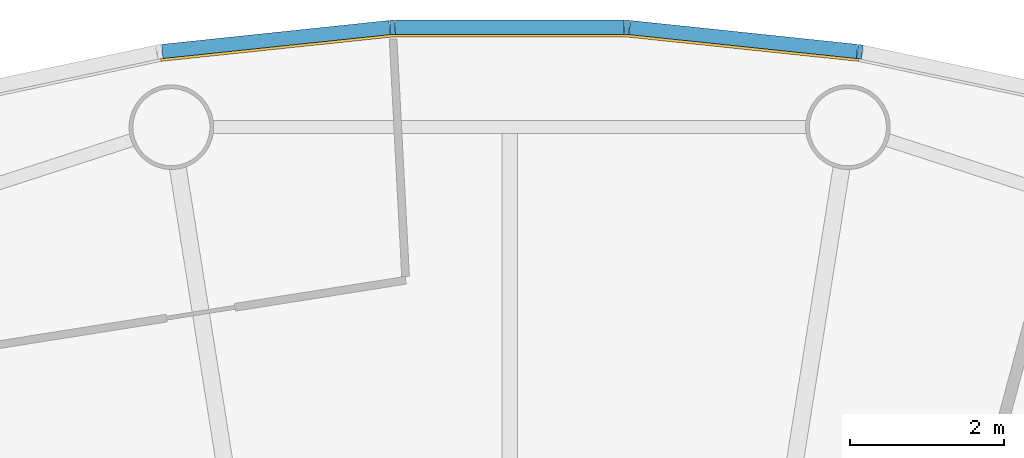
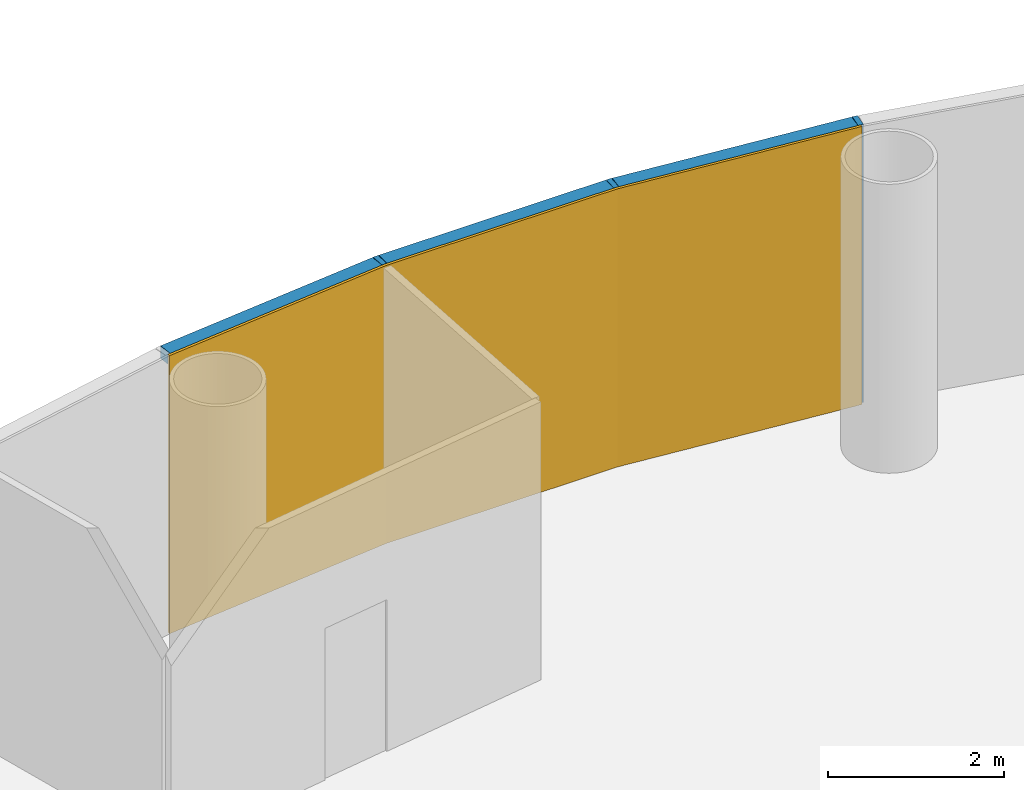
# One storey, part 10 of 12: 6 members, 1 curtain wall.
"""IFC4 building model written with IfcOpenShell, lengths in metres."""

from ifc_helpers import new_model, si_unit, direction, frame, origin, origin_2d, place, context, subcontext, project, spatial, polyline, rectangle, outline, extrude, material, layer, layer_set, material_profile, profile_set, type_object, element, aggregate, save


model = new_model("IFC4")

# Units and contexts
model_context = context("Model", 3, precision=1e-05, world=origin(), true_north=direction((0.0, 1.0)))
body_context = subcontext(model_context, "Body", "Model", "MODEL_VIEW")
ifc_project = project(units=[si_unit("LENGTHUNIT", "METRE"), si_unit("AREAUNIT", "SQUARE_METRE"), si_unit("VOLUMEUNIT", "CUBIC_METRE"), si_unit("PLANEANGLEUNIT", "RADIAN"), si_unit("MASSUNIT", "GRAM", prefix="KILO")], contexts=[model_context])

# Member
ifc_material_1 = material(Name="Anodised aluminium", Category="aluminium")
ifc_material_profile_1 = material_profile(ifc_material_1, rectangle(XDim=0.06494140625, YDim=0.18505859375, at=origin_2d()), Name="Mullion 65 x 185 mm anodised aluminium")
ifc_profile_set_1 = profile_set([ifc_material_profile_1], Name="Anodised aluminium")
member_type_1 = type_object("IfcMemberType", Name="Mullion 65 x 185 mm anodised aluminium", PredefinedType="MULLION", material=ifc_profile_set_1)
site_placement = place(None, origin())
building_placement = place(site_placement, origin())
storey_placement = place(building_placement, frame((0.0, 0.0, 152.0)))
member_1_placement = place(storey_placement, frame((94.551025390625, 108.734375, 0.0), z_axis=(0.0, 0.0, 1.0), x_axis=(-0.987688340595, 0.15643446504, 0.0)))
member_1 = element("IfcMember", 1, at=member_1_placement, type_object=member_type_1, Name="MULLION L34-12", PredefinedType="MULLION", context=body_context, shape_type="SweptSolid", body=[
    extrude(rectangle(XDim=0.06494140625, YDim=0.18505859375, at=origin_2d()), origin(), (0.0, 0.0, 1.0), 3.85009765625),
])

member_2_placement = place(storey_placement, frame((91.522705078125, 109.052734375, 0.0), z_axis=(0.0, 0.0, 1.0), x_axis=(-0.998629534755, 0.052335956243, 0.0)))
member_2 = element("IfcMember", 2, at=member_2_placement, type_object=member_type_1, Name="MULLION L34-13", PredefinedType="MULLION", context=body_context, shape_type="SweptSolid", body=[
    extrude(rectangle(XDim=0.06494140625, YDim=0.18505859375, at=origin_2d()), origin(), (0.0, 0.0, 1.0), 3.85009765625),
])

member_3_placement = place(storey_placement, frame((88.477294921875, 109.052734375, 0.0), z_axis=(0.0, 0.0, 1.0), x_axis=(-0.998629534755, -0.052335956243, 0.0)))
member_3 = element("IfcMember", 3, at=member_3_placement, type_object=member_type_1, Name="MULLION L34-14", PredefinedType="MULLION", context=body_context, shape_type="SweptSolid", body=[
    extrude(rectangle(XDim=0.06494140625, YDim=0.18505859375, at=origin_2d()), origin(), (0.0, 0.0, 1.0), 3.85009765625),
])

ifc_material_2 = material(Name="Anodised aluminium", Category="aluminium")
ifc_material_profile_2 = material_profile(ifc_material_2, rectangle(XDim=0.18505859375, YDim=0.175048828125, at=origin_2d()), Name="Transom 175 x 185 mm anodised aluminium")
ifc_profile_set_2 = profile_set([ifc_material_profile_2], Name="Anodised aluminium")
member_type_2 = type_object("IfcMemberType", Name="Transom 175 x 185 mm anodised aluminium", PredefinedType="USERDEFINED", material=ifc_profile_set_2)
member_4_placement = place(storey_placement, frame((94.513916015625, 108.73828125, 3.762451171875), z_axis=(-0.994519855197, 0.104547872381, 0.0), x_axis=(-0.104547872381, -0.994519855197, 0.0)))
member_4 = element("IfcMember", 4, at=member_4_placement, type_object=member_type_2, Name="TRANSOM L34-12", ObjectType="TRANSOM", PredefinedType="USERDEFINED", context=body_context, shape_type="SweptSolid", body=[
    extrude(rectangle(XDim=0.18505859375, YDim=0.175048828125, at=origin_2d()), origin(), (0.0, 0.0, 1.0), 2.970458984375),
])

member_5_placement = place(storey_placement, frame((91.4853515625, 109.052734375, 3.762451171875), z_axis=(-1.0, 0.0, 0.0), x_axis=(0.0, -1.0, 0.0)))
member_5 = element("IfcMember", 5, at=member_5_placement, type_object=member_type_2, Name="TRANSOM L34-13", ObjectType="TRANSOM", PredefinedType="USERDEFINED", context=body_context, shape_type="SweptSolid", body=[
    extrude(rectangle(XDim=0.18505859375, YDim=0.175048828125, at=origin_2d()), origin(), (0.0, 0.0, 1.0), 2.970703125),
])

member_6_placement = place(storey_placement, frame((88.440185546875, 109.048828125, 3.762451171875), z_axis=(-0.994519855197, -0.104547872381, 0.0), x_axis=(0.104547872381, -0.994519855197, 0.0)))
member_6 = element("IfcMember", 6, at=member_6_placement, type_object=member_type_2, Name="TRANSOM L34-14", ObjectType="TRANSOM", PredefinedType="USERDEFINED", context=body_context, shape_type="SweptSolid", body=[
    extrude(rectangle(XDim=0.18505859375, YDim=0.175048828125, at=origin_2d()), origin(), (0.0, 0.0, 1.0), 2.970458984375),
])

# Site, building, storey
site = spatial("IfcSite", under=ifc_project, at=site_placement, CompositionType="ELEMENT")
building = spatial("IfcBuilding", under=site, at=building_placement, Name="Entoto Ring Tower", CompositionType="ELEMENT")
storey = spatial("IfcBuildingStorey", under=building, at=storey_placement, Name="L34", CompositionType="ELEMENT", Elevation=152.0)

# Curtain wall
ifc_material_3 = material(Name="Clear low-iron glass", Category="glass")
ifc_layer = layer(ifc_material_3, 0.033935546875)
ifc_layer_set = layer_set([ifc_layer], Name="Clear low-iron glass")
curtain_wall_type = type_object("IfcCurtainWallType", Name="Curtain wall system CW3 glazing 34 mm", PredefinedType="NOTDEFINED", material=ifc_layer_set)
curtain_wall_placement = place(storey_placement, origin())
curtain_wall = element("IfcCurtainWall", 7, at=curtain_wall_placement, inside=storey, type_object=curtain_wall_type, Name="CW3 L34-05", PredefinedType="NOTDEFINED", context=body_context, shape_type="SweptSolid", body=[
    extrude(outline(polyline([(94.53662109375, 108.64306640625), (91.517822265625, 108.960205078125), (88.482177734375, 108.960205078125), (85.46337890625, 108.64306640625), (85.46875, 108.609375), (88.484130859375, 108.92626953125), (91.515869140625, 108.92626953125), (94.53125, 108.609375), (94.53662109375, 108.64306640625)])), origin(), (0.0, 0.0, 1.0), 3.85009765625),
])

aggregate(curtain_wall, [member_1, member_2, member_3, member_4, member_5, member_6])

save(model, "model.ifc")
